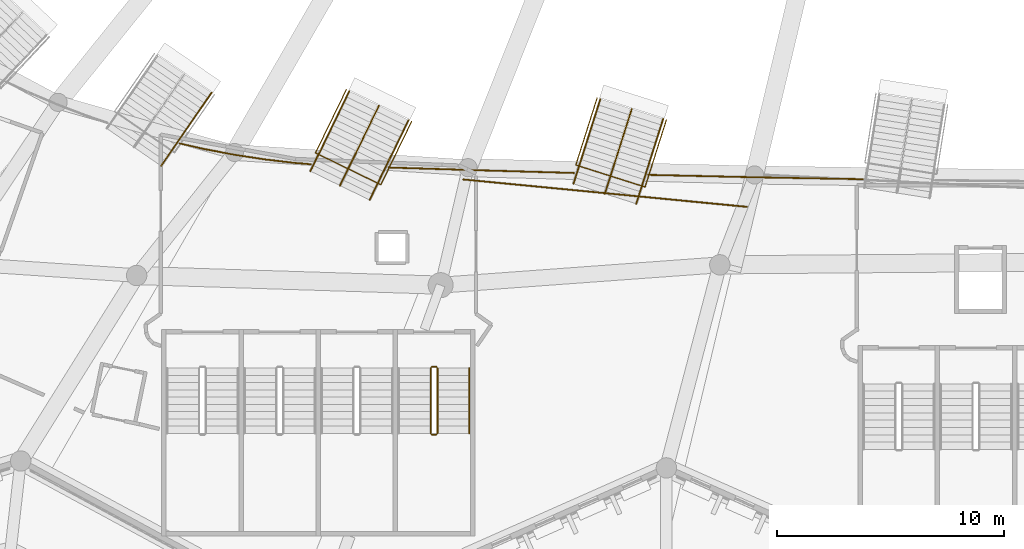
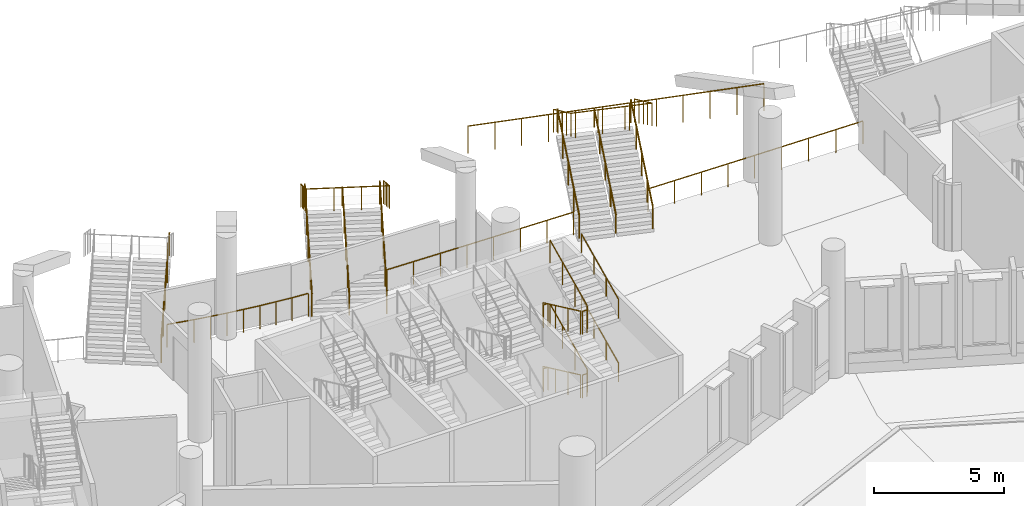
# One storey, part 117 of 173: 23 railings.
"""IFC4 building model written with IfcOpenShell, lengths in metres."""

from ifc_helpers import new_model, si_unit, direction, frame, origin, origin_2d, place, context, subcontext, project, spatial, circle, extrude, material, type_object, element, save


model = new_model("IFC4")

# Units and contexts
model_context = context("Model", 3, precision=1e-05, world=origin(), true_north=direction((0.0, 1.0)))
body_context = subcontext(model_context, "Body", "Model", "MODEL_VIEW")
ifc_project = project(units=[si_unit("LENGTHUNIT", "METRE"), si_unit("AREAUNIT", "SQUARE_METRE"), si_unit("VOLUMEUNIT", "CUBIC_METRE"), si_unit("PLANEANGLEUNIT", "RADIAN"), si_unit("MASSUNIT", "GRAM", prefix="KILO")], contexts=[model_context])

# Site, building, storey
site_placement = place(None, origin())
site = spatial("IfcSite", under=ifc_project, at=site_placement, CompositionType="ELEMENT")
building_placement = place(site_placement, origin())
building = spatial("IfcBuilding", under=site, at=building_placement, Name="Meseta Stadium", CompositionType="ELEMENT")
storey_placement = place(building_placement, frame((0.0, 0.0, 18.0)))
storey = spatial("IfcBuildingStorey", under=building, at=storey_placement, Name="L03", CompositionType="ELEMENT", Elevation=18.0)

# Railings
ifc_material_1 = material(Name="Steel S355", Category="steel")
railing_type_1 = type_object("IfcRailingType", Name="Plate edge guard 1100", PredefinedType="GUARDRAIL", material=ifc_material_1)
railing_1_placement = place(storey_placement, frame((-44.42919921875, -84.310791015625, 0.0)))
element("IfcRailing", 1, at=railing_1_placement, inside=storey, type_object=railing_type_1, Name="L03 inner edge guard 44", PredefinedType="GUARDRAIL", context=body_context, shape_type="SweptSolid", body=[
    extrude(circle(Radius=0.02490234375, at=origin_2d()), frame((0.0, 0.0, 1.0751953125), z_axis=(0.975167932407, -0.221466709924, 0.0), x_axis=(0.221466709924, 0.975167932407, 0.0)), (0.0, 0.0, 1.0), 1.093505859375),
    extrude(circle(Radius=0.02490234375, at=origin_2d()), frame((1.06640625, -0.2421875, 1.0751953125), z_axis=(0.982401631843, -0.18678071033, 0.0), x_axis=(0.18678071033, 0.982401631843, 0.0)), (0.0, 0.0, 1.0), 1.354248046875),
    extrude(circle(Radius=0.02490234375, at=origin_2d()), frame((2.396728515625, -0.4951171875, 1.0751953125), z_axis=(0.988417493259, -0.151759213954, 0.0), x_axis=(0.151759213954, 0.988417493259, 0.0)), (0.0, 0.0, 1.0), 1.3544921875),
    extrude(circle(Radius=0.02490234375, at=origin_2d()), frame((3.735595703125, -0.70068359375, 1.0751953125), z_axis=(0.993204606365, -0.116381312482, 0.0), x_axis=(0.116381312482, 0.993204606365, 0.0)), (0.0, 0.0, 1.0), 1.355224609375),
    extrude(circle(Radius=0.02490234375, at=origin_2d()), frame((5.08154296875, -0.8583984375, 1.0751953125), z_axis=(0.996729823051, -0.080806310654, 0.0), x_axis=(0.080806310654, 0.996729823051, 0.0)), (0.0, 0.0, 1.0), 0.685791015625),
    extrude(circle(Radius=0.02001953125, at=origin_2d()), origin(), (0.0, 0.0, 1.0), 1.050048828125),
    extrude(circle(Radius=0.02001953125, at=origin_2d()), frame((1.06640625, -0.2421875, 0.0)), (0.0, 0.0, 1.0), 1.050048828125),
    extrude(circle(Radius=0.02001953125, at=origin_2d()), frame((1.7314453125, -0.36865234375, 0.0)), (0.0, 0.0, 1.0), 1.050048828125),
    extrude(circle(Radius=0.02001953125, at=origin_2d()), frame((2.396728515625, -0.4951171875, 0.0)), (0.0, 0.0, 1.0), 1.050048828125),
    extrude(circle(Radius=0.02001953125, at=origin_2d()), frame((3.066162109375, -0.597900390625, 0.0)), (0.0, 0.0, 1.0), 1.050048828125),
    extrude(circle(Radius=0.02001953125, at=origin_2d()), frame((3.735595703125, -0.70068359375, 0.0)), (0.0, 0.0, 1.0), 1.050048828125),
    extrude(circle(Radius=0.02001953125, at=origin_2d()), frame((4.40869140625, -0.779541015625, 0.0)), (0.0, 0.0, 1.0), 1.050048828125),
    extrude(circle(Radius=0.02001953125, at=origin_2d()), frame((5.08154296875, -0.8583984375, 0.0)), (0.0, 0.0, 1.0), 1.050048828125),
    extrude(circle(Radius=0.02001953125, at=origin_2d()), frame((5.76513671875, -0.913818359375, 0.0)), (0.0, 0.0, 1.0), 1.050048828125),
])
railing_2_placement = place(storey_placement, frame((-35.2412109375, -85.368408203125, 0.0)))
element("IfcRailing", 2, at=railing_2_placement, inside=storey, type_object=railing_type_1, Name="L03 inner edge guard 45", PredefinedType="GUARDRAIL", context=body_context, shape_type="SweptSolid", body=[
    extrude(circle(Radius=0.02490234375, at=origin_2d()), frame((0.0, 0.0, 1.0751953125), z_axis=(0.999521144506, -0.030943200959, 0.0), x_axis=(0.030943200959, 0.999521144506, 0.0)), (0.0, 0.0, 1.0), 3.503173828125),
    extrude(circle(Radius=0.02490234375, at=origin_2d()), frame((3.50146484375, -0.1083984375, 1.0751953125), z_axis=(0.999597396645, -0.028373308227, 0.0), x_axis=(0.028373308227, 0.999597396645, 0.0)), (0.0, 0.0, 1.0), 4.67236328125),
    extrude(circle(Radius=0.02001953125, at=origin_2d()), origin(), (0.0, 0.0, 1.0), 1.050048828125),
    extrude(circle(Radius=0.02001953125, at=origin_2d()), frame((1.167236328125, -0.0361328125, 0.0)), (0.0, 0.0, 1.0), 1.050048828125),
    extrude(circle(Radius=0.02001953125, at=origin_2d()), frame((2.334228515625, -0.072265625, 0.0)), (0.0, 0.0, 1.0), 1.050048828125),
    extrude(circle(Radius=0.02001953125, at=origin_2d()), frame((3.50146484375, -0.1083984375, 0.0)), (0.0, 0.0, 1.0), 1.050048828125),
    extrude(circle(Radius=0.02001953125, at=origin_2d()), frame((4.6689453125, -0.1416015625, 0.0)), (0.0, 0.0, 1.0), 1.050048828125),
    extrude(circle(Radius=0.02001953125, at=origin_2d()), frame((5.836669921875, -0.1748046875, 0.0)), (0.0, 0.0, 1.0), 1.050048828125),
    extrude(circle(Radius=0.02001953125, at=origin_2d()), frame((7.00439453125, -0.207763671875, 0.0)), (0.0, 0.0, 1.0), 1.050048828125),
    extrude(circle(Radius=0.02001953125, at=origin_2d()), frame((8.171875, -0.240966796875, 0.0)), (0.0, 0.0, 1.0), 1.050048828125),
])
railing_3_placement = place(storey_placement, frame((-23.801513671875, -85.693115234375, 0.0)))
element("IfcRailing", 3, at=railing_3_placement, inside=storey, type_object=railing_type_1, Name="L03 inner edge guard 46", PredefinedType="GUARDRAIL", context=body_context, shape_type="SweptSolid", body=[
    extrude(circle(Radius=0.02490234375, at=origin_2d()), frame((0.0, 0.0, 1.0751953125), z_axis=(0.99974860133, -0.022421733614, 0.0), x_axis=(0.022421733614, 0.99974860133, 0.0)), (0.0, 0.0, 1.0), 4.68212890625),
    extrude(circle(Radius=0.02490234375, at=origin_2d()), frame((4.680908203125, -0.10498046875, 1.0751953125), z_axis=(0.999837325098, -0.018036721983, 0.0), x_axis=(0.018036721983, 0.999837325098, 0.0)), (0.0, 0.0, 1.0), 4.778076171875),
    extrude(circle(Radius=0.02001953125, at=origin_2d()), origin(), (0.0, 0.0, 1.0), 1.050048828125),
    extrude(circle(Radius=0.02001953125, at=origin_2d()), frame((1.170166015625, -0.0263671875, 0.0)), (0.0, 0.0, 1.0), 1.050048828125),
    extrude(circle(Radius=0.02001953125, at=origin_2d()), frame((2.34033203125, -0.052490234375, 0.0)), (0.0, 0.0, 1.0), 1.050048828125),
    extrude(circle(Radius=0.02001953125, at=origin_2d()), frame((3.5107421875, -0.07861328125, 0.0)), (0.0, 0.0, 1.0), 1.050048828125),
    extrude(circle(Radius=0.02001953125, at=origin_2d()), frame((4.680908203125, -0.10498046875, 0.0)), (0.0, 0.0, 1.0), 1.050048828125),
    extrude(circle(Radius=0.02001953125, at=origin_2d()), frame((5.875244140625, -0.12646484375, 0.0)), (0.0, 0.0, 1.0), 1.050048828125),
    extrude(circle(Radius=0.02001953125, at=origin_2d()), frame((7.069580078125, -0.14794921875, 0.0)), (0.0, 0.0, 1.0), 1.050048828125),
    extrude(circle(Radius=0.02001953125, at=origin_2d()), frame((8.263916015625, -0.169677734375, 0.0)), (0.0, 0.0, 1.0), 1.050048828125),
    extrude(circle(Radius=0.02001953125, at=origin_2d()), frame((9.458251953125, -0.191162109375, 0.0)), (0.0, 0.0, 1.0), 1.050048828125),
])
ifc_material_2 = material(Name="Steel S355", Category="steel")
railing_type_2 = type_object("IfcRailingType", Name="Stair guard 1100", PredefinedType="GUARDRAIL", material=ifc_material_2)
railing_4_placement = place(storey_placement, frame((-33.38330078125, -94.199951171875, 0.14990234375)))
element("IfcRailing", 4, at=railing_4_placement, inside=storey, type_object=railing_type_2, Name="ST92 L03 guard 1", PredefinedType="GUARDRAIL", context=body_context, shape_type="SweptSolid", body=[
    extrude(circle(Radius=0.02392578125, at=origin_2d()), frame((0.0, 0.0, 1.076171875), z_axis=(0.0, -0.905454327043, 0.424443708447), x_axis=(1.0, 0.0, 0.0)), (0.0, 0.0, 1.0), 3.180908203125),
    extrude(circle(Radius=0.02099609375, at=origin_2d()), origin(), (0.0, 0.0, 1.0), 1.052001953125),
    extrude(circle(Radius=0.02099609375, at=origin_2d()), frame((0.0, -0.9599609375, 0.449951171875)), (0.0, 0.0, 1.0), 1.052001953125),
    extrude(circle(Radius=0.02099609375, at=origin_2d()), frame((0.0, -1.920166015625, 0.900146484375)), (0.0, 0.0, 1.0), 1.052001953125),
    extrude(circle(Radius=0.02099609375, at=origin_2d()), frame((0.0, -2.880126953125, 1.35009765625)), (0.0, 0.0, 1.0), 1.052001953125),
])
railing_5_placement = place(storey_placement, frame((-33.333251953125, -97.1298828125, 1.5)))
element("IfcRailing", 5, at=railing_5_placement, inside=storey, type_object=railing_type_2, Name="ST92 L03 guard 2", PredefinedType="GUARDRAIL", context=body_context, shape_type="SweptSolid", body=[
    extrude(circle(Radius=0.02392578125, at=origin_2d()), frame((0.0, 0.0, 1.076171875), z_axis=(1.0, 0.0, 0.0), x_axis=(0.0, 1.0, 0.0)), (0.0, 0.0, 1.0), 0.199951171875),
    extrude(circle(Radius=0.02099609375, at=origin_2d()), origin(), (0.0, 0.0, 1.0), 1.052001953125),
    extrude(circle(Radius=0.02099609375, at=origin_2d()), frame((0.199951171875, 0.0, 0.0)), (0.0, 0.0, 1.0), 1.052001953125),
])
railing_6_placement = place(storey_placement, frame((-33.083251953125, -97.080078125, 1.64990234375)))
element("IfcRailing", 6, at=railing_6_placement, inside=storey, type_object=railing_type_2, Name="ST92 L03 guard 3", PredefinedType="GUARDRAIL", context=body_context, shape_type="SweptSolid", body=[
    extrude(circle(Radius=0.02392578125, at=origin_2d()), frame((0.0, 0.0, 1.076171875), z_axis=(0.0, 0.905454327043, 0.424443708447), x_axis=(-1.0, 0.0, 0.0)), (0.0, 0.0, 1.0), 3.180908203125),
    extrude(circle(Radius=0.02099609375, at=origin_2d()), origin(), (0.0, 0.0, 1.0), 1.052001953125),
    extrude(circle(Radius=0.02099609375, at=origin_2d()), frame((0.0, 0.9599609375, 0.449951171875)), (0.0, 0.0, 1.0), 1.052001953125),
    extrude(circle(Radius=0.02099609375, at=origin_2d()), frame((0.0, 1.920166015625, 0.900146484375)), (0.0, 0.0, 1.0), 1.052001953125),
    extrude(circle(Radius=0.02099609375, at=origin_2d()), frame((0.0, 2.880126953125, 1.35009765625)), (0.0, 0.0, 1.0), 1.052001953125),
])
railing_7_placement = place(storey_placement, frame((-33.333251953125, -94.14990234375, 3.0)))
element("IfcRailing", 7, at=railing_7_placement, inside=storey, type_object=railing_type_2, Name="ST92 L03 guard 4", PredefinedType="GUARDRAIL", context=body_context, shape_type="SweptSolid", body=[
    extrude(circle(Radius=0.02392578125, at=origin_2d()), frame((0.0, 0.0, 1.076171875), z_axis=(1.0, 0.0, 0.0), x_axis=(0.0, 1.0, 0.0)), (0.0, 0.0, 1.0), 0.199951171875),
    extrude(circle(Radius=0.02099609375, at=origin_2d()), origin(), (0.0, 0.0, 1.0), 1.052001953125),
    extrude(circle(Radius=0.02099609375, at=origin_2d()), frame((0.199951171875, 0.0, 0.0)), (0.0, 0.0, 1.0), 1.052001953125),
])
railing_8_placement = place(storey_placement, frame((-33.38330078125, -94.199951171875, 3.14990234375)))
element("IfcRailing", 8, at=railing_8_placement, inside=storey, type_object=railing_type_2, Name="ST92 L03 guard 5", PredefinedType="GUARDRAIL", context=body_context, shape_type="SweptSolid", body=[
    extrude(circle(Radius=0.02392578125, at=origin_2d()), frame((0.0, 0.0, 1.076171875), z_axis=(0.0, -0.905454327043, 0.424443708447), x_axis=(1.0, 0.0, 0.0)), (0.0, 0.0, 1.0), 3.180908203125),
    extrude(circle(Radius=0.02099609375, at=origin_2d()), origin(), (0.0, 0.0, 1.0), 1.052001953125),
    extrude(circle(Radius=0.02099609375, at=origin_2d()), frame((0.0, -0.9599609375, 0.449951171875)), (0.0, 0.0, 1.0), 1.052001953125),
    extrude(circle(Radius=0.02099609375, at=origin_2d()), frame((0.0, -1.920166015625, 0.900146484375)), (0.0, 0.0, 1.0), 1.052001953125),
    extrude(circle(Radius=0.02099609375, at=origin_2d()), frame((0.0, -2.880126953125, 1.35009765625)), (0.0, 0.0, 1.0), 1.052001953125),
])
railing_9_placement = place(storey_placement, frame((-33.333251953125, -97.1298828125, 4.5)))
element("IfcRailing", 9, at=railing_9_placement, inside=storey, type_object=railing_type_2, Name="ST92 L03 guard 6", PredefinedType="GUARDRAIL", context=body_context, shape_type="SweptSolid", body=[
    extrude(circle(Radius=0.02392578125, at=origin_2d()), frame((0.0, 0.0, 1.076171875), z_axis=(1.0, 0.0, 0.0), x_axis=(0.0, 1.0, 0.0)), (0.0, 0.0, 1.0), 0.199951171875),
    extrude(circle(Radius=0.02099609375, at=origin_2d()), origin(), (0.0, 0.0, 1.0), 1.052001953125),
    extrude(circle(Radius=0.02099609375, at=origin_2d()), frame((0.199951171875, 0.0, 0.0)), (0.0, 0.0, 1.0), 1.052001953125),
])
railing_10_placement = place(storey_placement, frame((-33.083251953125, -97.080078125, 4.64990234375)))
element("IfcRailing", 10, at=railing_10_placement, inside=storey, type_object=railing_type_2, Name="ST92 L03 guard 7", PredefinedType="GUARDRAIL", context=body_context, shape_type="SweptSolid", body=[
    extrude(circle(Radius=0.02392578125, at=origin_2d()), frame((0.0, 0.0, 1.076171875), z_axis=(0.0, 0.905454327043, 0.424443708447), x_axis=(-1.0, 0.0, 0.0)), (0.0, 0.0, 1.0), 3.180908203125),
    extrude(circle(Radius=0.02099609375, at=origin_2d()), origin(), (0.0, 0.0, 1.0), 1.052001953125),
    extrude(circle(Radius=0.02099609375, at=origin_2d()), frame((0.0, 0.9599609375, 0.449951171875)), (0.0, 0.0, 1.0), 1.052001953125),
    extrude(circle(Radius=0.02099609375, at=origin_2d()), frame((0.0, 1.920166015625, 0.900146484375)), (0.0, 0.0, 1.0), 1.052001953125),
    extrude(circle(Radius=0.02099609375, at=origin_2d()), frame((0.0, 2.880126953125, 1.35009765625)), (0.0, 0.0, 1.0), 1.052001953125),
])
railing_11_placement = place(storey_placement, frame((-33.333251953125, -94.14990234375, 0.0)))
element("IfcRailing", 11, at=railing_11_placement, inside=storey, type_object=railing_type_2, Name="ST92 L03 guard 8", PredefinedType="GUARDRAIL", context=body_context, shape_type="SweptSolid", body=[
    extrude(circle(Radius=0.02392578125, at=origin_2d()), frame((0.0, 0.0, 1.076171875), z_axis=(1.0, 0.0, 0.0), x_axis=(0.0, 1.0, 0.0)), (0.0, 0.0, 1.0), 0.199951171875),
    extrude(circle(Radius=0.02099609375, at=origin_2d()), origin(), (0.0, 0.0, 1.0), 1.052001953125),
    extrude(circle(Radius=0.02099609375, at=origin_2d()), frame((0.199951171875, 0.0, 0.0)), (0.0, 0.0, 1.0), 1.052001953125),
])
ifc_material_3 = material(Name="Steel S355", Category="steel")
railing_type_3 = type_object("IfcRailingType", Name="Stair handrail 900", PredefinedType="HANDRAIL", material=ifc_material_3)
for number, where, name in (
    (12, (-31.683349609375, -97.080078125, 1.64990234375), "ST92 L03 handrail 2"),
    (13, (-31.683349609375, -97.080078125, 4.64990234375), "ST92 L03 handrail 4"),
):
    element("IfcRailing", number, at=place(storey_placement, frame(where)), inside=storey, type_object=railing_type_3, Name=name, PredefinedType="HANDRAIL", context=body_context, shape_type="SweptSolid", body=[
        extrude(circle(Radius=0.02392578125, at=origin_2d()), frame((0.0, 0.0, 0.8759765625), z_axis=(0.0, 0.905454327043, 0.424443708447), x_axis=(-1.0, 0.0, 0.0)), (0.0, 0.0, 1.0), 3.180908203125),
        extrude(circle(Radius=0.02099609375, at=origin_2d()), origin(), (0.0, 0.0, 1.0), 0.851806640625),
        extrude(circle(Radius=0.02099609375, at=origin_2d()), frame((0.0, 0.9599609375, 0.449951171875)), (0.0, 0.0, 1.0), 0.851806640625),
        extrude(circle(Radius=0.02099609375, at=origin_2d()), frame((0.0, 1.920166015625, 0.900146484375)), (0.0, 0.0, 1.0), 0.851806640625),
        extrude(circle(Radius=0.02099609375, at=origin_2d()), frame((0.0, 2.880126953125, 1.35009765625)), (0.0, 0.0, 1.0), 0.851806640625),
    ])
ifc_material_4 = material(Name="Steel S355", Category="steel")
railing_type_4 = type_object("IfcRailingType", Name="Stand rear guard 1300", PredefinedType="GUARDRAIL", material=ifc_material_4)
railing_12_placement = place(storey_placement, frame((-31.9423828125, -85.89501953125, 5.72802734375)))
element("IfcRailing", 14, at=railing_12_placement, inside=storey, type_object=railing_type_4, Name="Stand upper tier rear guard bay 45", PredefinedType="GUARDRAIL", context=body_context, shape_type="SweptSolid", body=[
    extrude(circle(Radius=0.02490234375, at=origin_2d()), frame((0.0, 0.0, 1.27490234375), z_axis=(0.986940662175, -0.095342978526, -0.129837767196), x_axis=(0.096156922731, 0.995366186994, 0.0)), (0.0, 0.0, 1.0), 12.65478515625),
    extrude(circle(Radius=0.02001953125, at=origin_2d()), origin(), (0.0, 0.0, 1.0), 1.25),
    extrude(circle(Radius=0.02001953125, at=origin_2d()), frame((1.135498046875, -0.109619140625, -0.1494140625)), (0.0, 0.0, 1.0), 1.25),
    extrude(circle(Radius=0.02001953125, at=origin_2d()), frame((2.270751953125, -0.219482421875, -0.298828125)), (0.0, 0.0, 1.0), 1.25),
    extrude(circle(Radius=0.02001953125, at=origin_2d()), frame((3.40625, -0.3291015625, -0.447998046875)), (0.0, 0.0, 1.0), 1.25),
    extrude(circle(Radius=0.02001953125, at=origin_2d()), frame((4.541748046875, -0.438720703125, -0.597412109375)), (0.0, 0.0, 1.0), 1.25),
    extrude(circle(Radius=0.02001953125, at=origin_2d()), frame((5.677001953125, -0.54833984375, -0.746826171875)), (0.0, 0.0, 1.0), 1.25),
    extrude(circle(Radius=0.02001953125, at=origin_2d()), frame((6.8125, -0.658203125, -0.896240234375)), (0.0, 0.0, 1.0), 1.25),
    extrude(circle(Radius=0.02001953125, at=origin_2d()), frame((7.94775390625, -0.767822265625, -1.045654296875)), (0.0, 0.0, 1.0), 1.25),
    extrude(circle(Radius=0.02001953125, at=origin_2d()), frame((9.083251953125, -0.87744140625, -1.195068359375)), (0.0, 0.0, 1.0), 1.25),
    extrude(circle(Radius=0.02001953125, at=origin_2d()), frame((10.21875, -0.987060546875, -1.34423828125)), (0.0, 0.0, 1.0), 1.25),
    extrude(circle(Radius=0.02001953125, at=origin_2d()), frame((11.35400390625, -1.096923828125, -1.49365234375)), (0.0, 0.0, 1.0), 1.25),
    extrude(circle(Radius=0.02001953125, at=origin_2d()), frame((12.489501953125, -1.20654296875, -1.64306640625)), (0.0, 0.0, 1.0), 1.25),
])
ifc_material_5 = material(Name="Steel S355", Category="steel")
railing_type_5 = type_object("IfcRailingType", Name="Vomitory slot guard 1100", PredefinedType="GUARDRAIL", material=ifc_material_5)
railing_13_placement = place(storey_placement, frame((-34.219970703125, -83.340576171875, 2.59912109375)))
element("IfcRailing", 15, at=railing_13_placement, inside=storey, type_object=railing_type_5, Name="Vomitory V-upper-44 slot guard", PredefinedType="GUARDRAIL", context=body_context, shape_type="SweptSolid", body=[
    extrude(circle(Radius=0.02490234375, at=origin_2d()), frame((0.0, 0.0, 1.0751953125), z_axis=(-0.371388345082, -0.762344534996, 0.53000142179), x_axis=(0.898994639312, -0.437959631118, 0.0)), (0.0, 0.0, 1.0), 3.65576171875),
    extrude(circle(Radius=0.02490234375, at=origin_2d()), frame((-1.357666015625, -2.786865234375, 3.0126953125), z_axis=(-0.899017594614, 0.437912507899, 0.0), x_axis=(-0.437912507899, -0.899017594614, 0.0)), (0.0, 0.0, 1.0), 3.2001953125),
    extrude(circle(Radius=0.02490234375, at=origin_2d()), frame((-4.234619140625, -1.385498046875, 3.0126953125), z_axis=(0.37144591586, 0.762325625593, -0.529988275489), x_axis=(-0.898963630227, 0.438023277383, 0.0)), (0.0, 0.0, 1.0), 3.65576171875),
    extrude(circle(Radius=0.02001953125, at=origin_2d()), origin(), (0.0, 0.0, 1.0), 1.050048828125),
    extrude(circle(Radius=0.02001953125, at=origin_2d()), frame((-0.33935546875, -0.69677734375, 0.484375)), (0.0, 0.0, 1.0), 1.050048828125),
    extrude(circle(Radius=0.02001953125, at=origin_2d()), frame((-0.6787109375, -1.3935546875, 0.96875)), (0.0, 0.0, 1.0), 1.050048828125),
    extrude(circle(Radius=0.02001953125, at=origin_2d()), frame((-1.018310546875, -2.090087890625, 1.453125)), (0.0, 0.0, 1.0), 1.050048828125),
    extrude(circle(Radius=0.02001953125, at=origin_2d()), frame((-1.357666015625, -2.786865234375, 1.9375)), (0.0, 0.0, 1.0), 1.050048828125),
    extrude(circle(Radius=0.02001953125, at=origin_2d()), frame((-2.316650390625, -2.31982421875, 1.9375)), (0.0, 0.0, 1.0), 1.050048828125),
    extrude(circle(Radius=0.02001953125, at=origin_2d()), frame((-3.275634765625, -1.8525390625, 1.9375)), (0.0, 0.0, 1.0), 1.050048828125),
    extrude(circle(Radius=0.02001953125, at=origin_2d()), frame((-4.234619140625, -1.385498046875, 1.9375)), (0.0, 0.0, 1.0), 1.050048828125),
    extrude(circle(Radius=0.02001953125, at=origin_2d()), frame((-3.89501953125, -0.688720703125, 1.453125)), (0.0, 0.0, 1.0), 1.050048828125),
    extrude(circle(Radius=0.02001953125, at=origin_2d()), frame((-3.5556640625, 0.0078125, 0.96875)), (0.0, 0.0, 1.0), 1.050048828125),
    extrude(circle(Radius=0.02001953125, at=origin_2d()), frame((-3.21630859375, 0.70458984375, 0.484375)), (0.0, 0.0, 1.0), 1.050048828125),
    extrude(circle(Radius=0.02001953125, at=origin_2d()), frame((-2.876708984375, 1.4013671875, 0.0)), (0.0, 0.0, 1.0), 1.050048828125),
])
railing_14_placement = place(storey_placement, frame((-23.001708984375, -83.27294921875, 2.475341796875)))
element("IfcRailing", 16, at=railing_14_placement, inside=storey, type_object=railing_type_5, Name="Vomitory V-upper-45 slot guard", PredefinedType="GUARDRAIL", context=body_context, shape_type="SweptSolid", body=[
    extrude(circle(Radius=0.02490234375, at=origin_2d()), frame((0.0, 0.0, 1.0751953125), z_axis=(-0.25659020607, -0.808239113447, 0.530010378807), x_axis=(0.95312210395, -0.302585946404, 0.0)), (0.0, 0.0, 1.0), 3.655517578125),
    extrude(circle(Radius=0.02490234375, at=origin_2d()), frame((-0.93798828125, -2.95458984375, 3.0126953125), z_axis=(-0.953124965633, 0.302576932178, 0.0), x_axis=(-0.302576932178, -0.953124965633, 0.0)), (0.0, 0.0, 1.0), 3.199951171875),
    extrude(circle(Radius=0.02490234375, at=origin_2d()), frame((-3.988037109375, -1.986328125, 3.0126953125), z_axis=(0.25659020607, 0.808239113447, -0.530010378807), x_axis=(-0.95312210395, 0.302585946404, 0.0)), (0.0, 0.0, 1.0), 3.655517578125),
    extrude(circle(Radius=0.02001953125, at=origin_2d()), origin(), (0.0, 0.0, 1.0), 1.050048828125),
    extrude(circle(Radius=0.02001953125, at=origin_2d()), frame((-0.234375, -0.73876953125, 0.484375)), (0.0, 0.0, 1.0), 1.050048828125),
    extrude(circle(Radius=0.02001953125, at=origin_2d()), frame((-0.468994140625, -1.477294921875, 0.96875)), (0.0, 0.0, 1.0), 1.050048828125),
    extrude(circle(Radius=0.02001953125, at=origin_2d()), frame((-0.70361328125, -2.2158203125, 1.453125)), (0.0, 0.0, 1.0), 1.050048828125),
    extrude(circle(Radius=0.02001953125, at=origin_2d()), frame((-0.93798828125, -2.95458984375, 1.9375)), (0.0, 0.0, 1.0), 1.050048828125),
    extrude(circle(Radius=0.02001953125, at=origin_2d()), frame((-1.95458984375, -2.6318359375, 1.9375)), (0.0, 0.0, 1.0), 1.050048828125),
    extrude(circle(Radius=0.02001953125, at=origin_2d()), frame((-2.971435546875, -2.30908203125, 1.9375)), (0.0, 0.0, 1.0), 1.050048828125),
    extrude(circle(Radius=0.02001953125, at=origin_2d()), frame((-3.988037109375, -1.986328125, 1.9375)), (0.0, 0.0, 1.0), 1.050048828125),
    extrude(circle(Radius=0.02001953125, at=origin_2d()), frame((-3.75341796875, -1.24755859375, 1.453125)), (0.0, 0.0, 1.0), 1.050048828125),
    extrude(circle(Radius=0.02001953125, at=origin_2d()), frame((-3.51904296875, -0.509033203125, 0.96875)), (0.0, 0.0, 1.0), 1.050048828125),
    extrude(circle(Radius=0.02001953125, at=origin_2d()), frame((-3.28466796875, 0.2294921875, 0.484375)), (0.0, 0.0, 1.0), 1.050048828125),
    extrude(circle(Radius=0.02001953125, at=origin_2d()), frame((-3.050048828125, 0.96826171875, 0.0)), (0.0, 0.0, 1.0), 1.050048828125),
])
ifc_material_6 = material(Name="Steel S355", Category="steel")
railing_type_6 = type_object("IfcRailingType", Name="Vomitory stair guard 1100", PredefinedType="GUARDRAIL", material=ifc_material_6)
railing_15_placement = place(storey_placement, frame((-45.2568359375, -85.298828125, 0.164794921875)))
element("IfcRailing", 17, at=railing_15_placement, inside=storey, type_object=railing_type_6, Name="Vomitory V-upper-43 guard right", PredefinedType="GUARDRAIL", context=body_context, shape_type="SweptSolid", body=[
    extrude(circle(Radius=0.02490234375, at=origin_2d()), frame((0.0, 0.0, 1.0751953125), z_axis=(0.489474665706, 0.70938668516, 0.507134185941), x_axis=(-0.823081280051, 0.567923592069, 0.0)), (0.0, 0.0, 1.0), 4.54833984375),
    extrude(circle(Radius=0.02001953125, at=origin_2d()), origin(), (0.0, 0.0, 1.0), 1.050048828125),
    extrude(circle(Radius=0.02001953125, at=origin_2d()), frame((0.556640625, 0.806640625, 0.57666015625)), (0.0, 0.0, 1.0), 1.050048828125),
    extrude(circle(Radius=0.02001953125, at=origin_2d()), frame((1.11328125, 1.61328125, 1.1533203125)), (0.0, 0.0, 1.0), 1.050048828125),
    extrude(circle(Radius=0.02001953125, at=origin_2d()), frame((1.669677734375, 2.419921875, 1.72998046875)), (0.0, 0.0, 1.0), 1.050048828125),
    extrude(circle(Radius=0.02001953125, at=origin_2d()), frame((2.226318359375, 3.2265625, 2.306640625)), (0.0, 0.0, 1.0), 1.050048828125),
])
railing_16_placement = place(storey_placement, frame((-38.6787109375, -85.52880859375, 0.17333984375)))
element("IfcRailing", 18, at=railing_16_placement, inside=storey, type_object=railing_type_6, Name="Vomitory V-upper-44 guard left", PredefinedType="GUARDRAIL", context=body_context, shape_type="SweptSolid", body=[
    extrude(circle(Radius=0.02490234375, at=origin_2d()), frame((0.0, 0.0, 1.0751953125), z_axis=(0.372426766829, 0.764449367521, 0.526227581799), x_axis=(-0.898988611266, 0.437972004602, 0.0)), (0.0, 0.0, 1.0), 4.60986328125),
    extrude(circle(Radius=0.02001953125, at=origin_2d()), origin(), (0.0, 0.0, 1.0), 1.050048828125),
    extrude(circle(Radius=0.02001953125, at=origin_2d()), frame((0.42919921875, 0.880859375, 0.6064453125)), (0.0, 0.0, 1.0), 1.050048828125),
    extrude(circle(Radius=0.02001953125, at=origin_2d()), frame((0.8583984375, 1.761962890625, 1.212890625)), (0.0, 0.0, 1.0), 1.050048828125),
    extrude(circle(Radius=0.02001953125, at=origin_2d()), frame((1.28759765625, 2.64306640625, 1.8193359375)), (0.0, 0.0, 1.0), 1.050048828125),
    extrude(circle(Radius=0.02001953125, at=origin_2d()), frame((1.716796875, 3.52392578125, 2.42578125)), (0.0, 0.0, 1.0), 1.050048828125),
])
railing_17_placement = place(storey_placement, frame((-36.07177734375, -86.799072265625, 0.17333984375)))
element("IfcRailing", 19, at=railing_17_placement, inside=storey, type_object=railing_type_6, Name="Vomitory V-upper-44 guard right", PredefinedType="GUARDRAIL", context=body_context, shape_type="SweptSolid", body=[
    extrude(circle(Radius=0.02490234375, at=origin_2d()), frame((0.0, 0.0, 1.0751953125), z_axis=(0.372411688948, 0.764471377981, 0.526206277217), x_axis=(-0.899000557299, 0.437947483126, 0.0)), (0.0, 0.0, 1.0), 4.60986328125),
    extrude(circle(Radius=0.02001953125, at=origin_2d()), origin(), (0.0, 0.0, 1.0), 1.050048828125),
    extrude(circle(Radius=0.02001953125, at=origin_2d()), frame((0.42919921875, 0.881103515625, 0.6064453125)), (0.0, 0.0, 1.0), 1.050048828125),
    extrude(circle(Radius=0.02001953125, at=origin_2d()), frame((0.8583984375, 1.76220703125, 1.212890625)), (0.0, 0.0, 1.0), 1.050048828125),
    extrude(circle(Radius=0.02001953125, at=origin_2d()), frame((1.28759765625, 2.64306640625, 1.8193359375)), (0.0, 0.0, 1.0), 1.050048828125),
    extrude(circle(Radius=0.02001953125, at=origin_2d()), frame((1.716796875, 3.524169921875, 2.42578125)), (0.0, 0.0, 1.0), 1.050048828125),
])
railing_18_placement = place(storey_placement, frame((-27.0947265625, -86.086181640625, 0.1650390625)))
element("IfcRailing", 20, at=railing_18_placement, inside=storey, type_object=railing_type_6, Name="Vomitory V-upper-45 guard left", PredefinedType="GUARDRAIL", context=body_context, shape_type="SweptSolid", body=[
    extrude(circle(Radius=0.02490234375, at=origin_2d()), frame((0.0, 0.0, 1.0751953125), z_axis=(0.260667056891, 0.82111732639, 0.507758822429), x_axis=(-0.953125977826, 0.302573743728, 0.0)), (0.0, 0.0, 1.0), 4.550048828125),
    extrude(circle(Radius=0.02001953125, at=origin_2d()), origin(), (0.0, 0.0, 1.0), 1.050048828125),
    extrude(circle(Radius=0.02001953125, at=origin_2d()), frame((0.29638671875, 0.93408203125, 0.57763671875)), (0.0, 0.0, 1.0), 1.050048828125),
    extrude(circle(Radius=0.02001953125, at=origin_2d()), frame((0.593017578125, 1.8681640625, 1.1552734375)), (0.0, 0.0, 1.0), 1.050048828125),
    extrude(circle(Radius=0.02001953125, at=origin_2d()), frame((0.8896484375, 2.802001953125, 1.732666015625)), (0.0, 0.0, 1.0), 1.050048828125),
    extrude(circle(Radius=0.02001953125, at=origin_2d()), frame((1.18603515625, 3.736083984375, 2.310302734375)), (0.0, 0.0, 1.0), 1.050048828125),
])
railing_19_placement = place(storey_placement, frame((-24.330810546875, -86.9638671875, 0.1650390625)))
element("IfcRailing", 21, at=railing_19_placement, inside=storey, type_object=railing_type_6, Name="Vomitory V-upper-45 guard right", PredefinedType="GUARDRAIL", context=body_context, shape_type="SweptSolid", body=[
    extrude(circle(Radius=0.02490234375, at=origin_2d()), frame((0.0, 0.0, 1.0751953125), z_axis=(0.260655572565, 0.82113480497, 0.507736451871), x_axis=(-0.953131679436, 0.302555782717, 0.0)), (0.0, 0.0, 1.0), 4.55029296875),
    extrude(circle(Radius=0.02001953125, at=origin_2d()), origin(), (0.0, 0.0, 1.0), 1.050048828125),
    extrude(circle(Radius=0.02001953125, at=origin_2d()), frame((0.29638671875, 0.93408203125, 0.57763671875)), (0.0, 0.0, 1.0), 1.050048828125),
    extrude(circle(Radius=0.02001953125, at=origin_2d()), frame((0.593017578125, 1.8681640625, 1.1552734375)), (0.0, 0.0, 1.0), 1.050048828125),
    extrude(circle(Radius=0.02001953125, at=origin_2d()), frame((0.8896484375, 2.80224609375, 1.732666015625)), (0.0, 0.0, 1.0), 1.050048828125),
    extrude(circle(Radius=0.02001953125, at=origin_2d()), frame((1.18603515625, 3.736328125, 2.310302734375)), (0.0, 0.0, 1.0), 1.050048828125),
])
ifc_material_7 = material(Name="Steel S355", Category="steel")
railing_type_7 = type_object("IfcRailingType", Name="Vomitory stair handrail 900", PredefinedType="HANDRAIL", material=ifc_material_7)
railing_20_placement = place(storey_placement, frame((-37.375244140625, -86.1640625, 0.17333984375)))
element("IfcRailing", 22, at=railing_20_placement, inside=storey, type_object=railing_type_7, Name="Vomitory V-upper-44 central handrail", PredefinedType="HANDRAIL", context=body_context, shape_type="SweptSolid", body=[
    extrude(circle(Radius=0.02490234375, at=origin_2d()), frame((0.0, 0.0, 0.875), z_axis=(0.372411688948, 0.764471377981, 0.526206277217), x_axis=(-0.899000557299, 0.437947483126, 0.0)), (0.0, 0.0, 1.0), 4.60986328125),
    extrude(circle(Radius=0.02001953125, at=origin_2d()), origin(), (0.0, 0.0, 1.0), 0.849853515625),
    extrude(circle(Radius=0.02001953125, at=origin_2d()), frame((0.42919921875, 0.881103515625, 0.6064453125)), (0.0, 0.0, 1.0), 0.849853515625),
    extrude(circle(Radius=0.02001953125, at=origin_2d()), frame((0.8583984375, 1.76220703125, 1.212890625)), (0.0, 0.0, 1.0), 0.849853515625),
    extrude(circle(Radius=0.02001953125, at=origin_2d()), frame((1.28759765625, 2.64306640625, 1.8193359375)), (0.0, 0.0, 1.0), 0.849853515625),
    extrude(circle(Radius=0.02001953125, at=origin_2d()), frame((1.716796875, 3.524169921875, 2.42578125)), (0.0, 0.0, 1.0), 0.849853515625),
])
railing_21_placement = place(storey_placement, frame((-25.712890625, -86.52490234375, 0.1650390625)))
element("IfcRailing", 23, at=railing_21_placement, inside=storey, type_object=railing_type_7, Name="Vomitory V-upper-45 central handrail", PredefinedType="HANDRAIL", context=body_context, shape_type="SweptSolid", body=[
    extrude(circle(Radius=0.02490234375, at=origin_2d()), frame((0.0, 0.0, 0.875), z_axis=(0.260717067252, 0.82110584074, 0.507751719984), x_axis=(-0.953108014461, 0.302630323614, 0.0)), (0.0, 0.0, 1.0), 4.550048828125),
    extrude(circle(Radius=0.02001953125, at=origin_2d()), origin(), (0.0, 0.0, 1.0), 0.849853515625),
    extrude(circle(Radius=0.02001953125, at=origin_2d()), frame((0.296630859375, 0.93408203125, 0.57763671875)), (0.0, 0.0, 1.0), 0.849853515625),
    extrude(circle(Radius=0.02001953125, at=origin_2d()), frame((0.59326171875, 1.8681640625, 1.1552734375)), (0.0, 0.0, 1.0), 0.849853515625),
    extrude(circle(Radius=0.02001953125, at=origin_2d()), frame((0.8896484375, 2.802001953125, 1.732666015625)), (0.0, 0.0, 1.0), 0.849853515625),
    extrude(circle(Radius=0.02001953125, at=origin_2d()), frame((1.186279296875, 3.736083984375, 2.310302734375)), (0.0, 0.0, 1.0), 0.849853515625),
])

save(model, "model.ifc")
